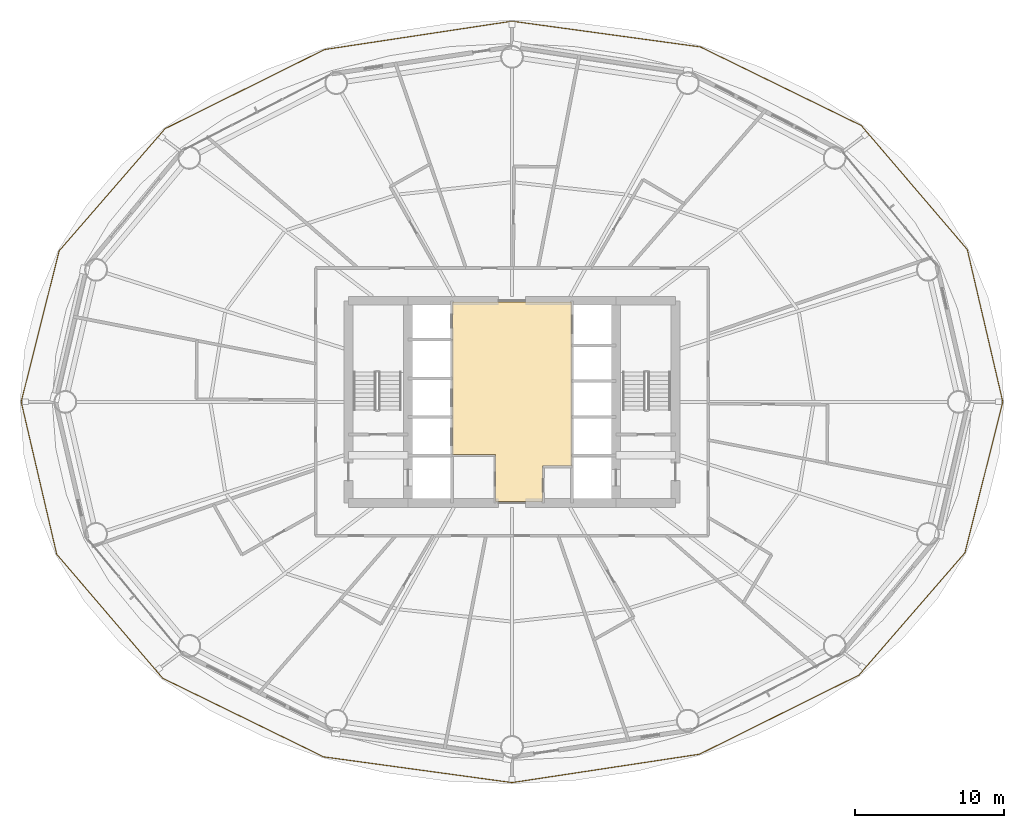
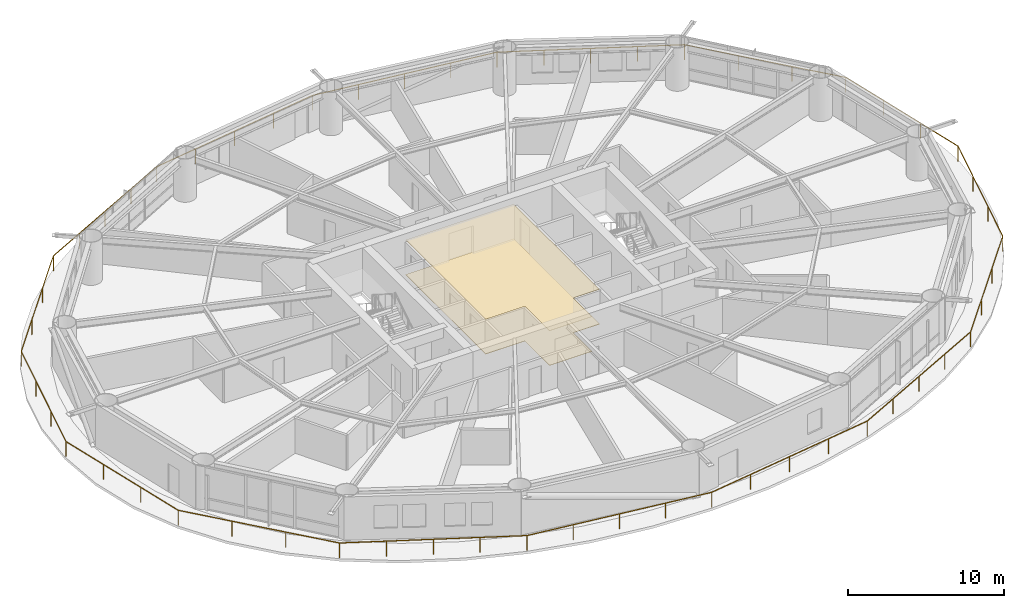
# One storey, part 25 of 26: 2 coverings, 1 railing.
"""IFC4 building model written with IfcOpenShell, lengths in metres."""

from ifc_helpers import new_model, si_unit, direction, frame, origin, origin_2d, place, context, subcontext, project, spatial, polyline, rectangle, outline, extrude, material, layer, layer_set, type_object, element, save


model = new_model("IFC4")

# Units and contexts
model_context = context("Model", 3, precision=1e-05, world=origin(), true_north=direction((0.0, 1.0)))
body_context = subcontext(model_context, "Body", "Model", "MODEL_VIEW")
ifc_project = project(units=[si_unit("LENGTHUNIT", "METRE"), si_unit("AREAUNIT", "SQUARE_METRE"), si_unit("VOLUMEUNIT", "CUBIC_METRE"), si_unit("PLANEANGLEUNIT", "RADIAN"), si_unit("MASSUNIT", "GRAM", prefix="KILO")], contexts=[model_context])

# Site, building, storey
site_placement = place(None, origin())
site = spatial("IfcSite", under=ifc_project, at=site_placement, CompositionType="ELEMENT")
building_placement = place(site_placement, origin())
building = spatial("IfcBuilding", under=site, at=building_placement, Name="Sarneth Arch Tower", CompositionType="ELEMENT")
storey_placement = place(building_placement, frame((0.0, 0.0, 71.39990234375)))
storey = spatial("IfcBuildingStorey", under=building, at=storey_placement, Name="L17", CompositionType="ELEMENT", Elevation=71.39990234375)

# Coverings
ifc_material_1 = material(Name="Perforated acoustic gypsum ceiling board")
ifc_layer_1 = layer(ifc_material_1, 0.02490234375)
ifc_layer_set_1 = layer_set([ifc_layer_1], Name="Perforated acoustic gypsum ceiling board")
covering_type_1 = type_object("IfcCoveringType", Name="COV-CEIL-GYP", PredefinedType="CEILING", material=ifc_layer_set_1)
covering_1_placement = place(storey_placement, frame((0.0, 0.0, 2.710205078125)))
element("IfcCovering", 1, at=covering_1_placement, inside=storey, type_object=covering_type_1, Name="L17 Lift lobby acoustic ceiling", PredefinedType="CEILING", context=body_context, shape_type="SweptSolid", body=[
    extrude(outline(polyline([(52.0, 37.699951171875), (50.050048828125, 37.699951171875), (50.050048828125, 35.300048828125), (46.89990234375, 35.300048828125), (46.89990234375, 38.449951171875), (44.0, 38.449951171875), (44.0, 48.699951171875), (52.0, 48.699951171875), (52.0, 37.699951171875)])), origin(), (0.0, 0.0, 1.0), 0.02978515625),
])
ifc_material_2 = material(Name="Honed granite stone flooring", Category="masonry")
ifc_layer_2 = layer(ifc_material_2, 0.030029296875)
ifc_layer_set_2 = layer_set([ifc_layer_2], Name="Honed granite stone flooring")
covering_type_2 = type_object("IfcCoveringType", Name="COV-FLR-STONE", PredefinedType="FLOORING", material=ifc_layer_set_2)
covering_2_placement = place(storey_placement, origin())
element("IfcCovering", 2, at=covering_2_placement, inside=storey, type_object=covering_type_2, Name="L17 Lift lobby granite flooring", PredefinedType="FLOORING", context=body_context, shape_type="SweptSolid", body=[
    extrude(outline(polyline([(52.0, 37.699951171875), (50.050048828125, 37.699951171875), (50.050048828125, 35.300048828125), (46.89990234375, 35.300048828125), (46.89990234375, 38.449951171875), (44.0, 38.449951171875), (44.0, 48.699951171875), (52.0, 48.699951171875), (52.0, 37.699951171875)])), origin(), (0.0, 0.0, 1.0), 0.030029296875),
])

# Railing
ifc_material_3 = material(Name="Laminated structural glass infill with Stainless Steel 316 top rail and posts", Category="steel")
railing_type = type_object("IfcRailingType", Name="RAIL-BALC-1200", PredefinedType="BALUSTRADE", material=ifc_material_3)
railing_placement = place(storey_placement, frame((81.00146484375, 42.0, 0.0)))
element("IfcRailing", 3, at=railing_placement, inside=storey, type_object=railing_type, Name="L17 Helical balcony glass balustrade", PredefinedType="BALUSTRADE", context=body_context, shape_type="SweptSolid", body=[
    extrude(rectangle(XDim=0.048095703125, YDim=0.048095703125, at=origin_2d()), frame((0.0, 0.0, 1.17578125), z_axis=(-0.227084352887, 0.973875092953, 0.0), x_axis=(-0.973875092953, -0.227084352887, 0.0)), (0.0, 0.0, 1.0), 10.52001953125),
    extrude(rectangle(XDim=0.048095703125, YDim=0.048095703125, at=origin_2d()), frame((-2.388916015625, 10.2451171875, 1.17578125), z_axis=(-0.649747538134, 0.760150075109, 0.0), x_axis=(-0.760150075109, -0.649747538134, 0.0)), (0.0, 0.0, 1.0), 10.966064453125),
    extrude(rectangle(XDim=0.048095703125, YDim=0.048095703125, at=origin_2d()), frame((-9.51416015625, 18.5810546875, 1.17578125), z_axis=(-0.898555805268, 0.438859276784, 0.0), x_axis=(-0.438859276784, -0.898555805268, 0.0)), (0.0, 0.0, 1.0), 12.044677734375),
    extrude(rectangle(XDim=0.048095703125, YDim=0.048095703125, at=origin_2d()), frame((-20.3369140625, 23.866943359375, 1.17578125), z_axis=(-0.990785949112, 0.135437081489, 0.0), x_axis=(-0.135437081489, -0.990785949112, 0.0)), (0.0, 0.0, 1.0), 12.7822265625),
    extrude(rectangle(XDim=0.048095703125, YDim=0.048095703125, at=origin_2d()), frame((-33.00146484375, 25.59814453125, 1.17578125), z_axis=(-0.988726414617, -0.149733353124, 0.0), x_axis=(0.149733353124, -0.988726414617, 0.0)), (0.0, 0.0, 1.0), 12.752197265625),
    extrude(rectangle(XDim=0.048095703125, YDim=0.048095703125, at=origin_2d()), frame((-45.60986328125, 23.688720703125, 1.17578125), z_axis=(-0.89579800667, -0.44446139455, 0.0), x_axis=(0.44446139455, -0.89579800667, 0.0)), (0.0, 0.0, 1.0), 11.967041015625),
    extrude(rectangle(XDim=0.048095703125, YDim=0.048095703125, at=origin_2d()), frame((-56.329833984375, 18.369873046875, 1.17578125), z_axis=(-0.654955330145, -0.755667595914, 0.0), x_axis=(0.755667595914, -0.654955330145, 0.0)), (0.0, 0.0, 1.0), 10.872314453125),
    extrude(rectangle(XDim=0.048095703125, YDim=0.048095703125, at=origin_2d()), frame((-63.45068359375, 10.154052734375, 1.17578125), z_axis=(-0.243769929041, -0.969833089606, 0.0), x_axis=(0.969833089606, -0.243769929041, 0.0)), (0.0, 0.0, 1.0), 10.469970703125),
    extrude(rectangle(XDim=0.048095703125, YDim=0.048095703125, at=origin_2d()), frame((-66.0029296875, 0.0, 1.17578125), z_axis=(0.227084352887, -0.973875092953, 0.0), x_axis=(0.973875092953, 0.227084352887, 0.0)), (0.0, 0.0, 1.0), 10.52001953125),
    extrude(rectangle(XDim=0.048095703125, YDim=0.048095703125, at=origin_2d()), frame((-63.614013671875, -10.2451171875, 1.17578125), z_axis=(0.649747538134, -0.760150075109, 0.0), x_axis=(0.760150075109, 0.649747538134, 0.0)), (0.0, 0.0, 1.0), 10.966064453125),
    extrude(rectangle(XDim=0.048095703125, YDim=0.048095703125, at=origin_2d()), frame((-56.48876953125, -18.5810546875, 1.17578125), z_axis=(0.898555805268, -0.438859276784, 0.0), x_axis=(0.438859276784, 0.898555805268, 0.0)), (0.0, 0.0, 1.0), 12.044677734375),
    extrude(rectangle(XDim=0.048095703125, YDim=0.048095703125, at=origin_2d()), frame((-45.666015625, -23.866943359375, 1.17578125), z_axis=(0.990785949112, -0.135437081489, 0.0), x_axis=(0.135437081489, 0.990785949112, 0.0)), (0.0, 0.0, 1.0), 12.7822265625),
    extrude(rectangle(XDim=0.048095703125, YDim=0.048095703125, at=origin_2d()), frame((-33.00146484375, -25.59814453125, 1.17578125), z_axis=(0.988726414617, 0.149733353124, 0.0), x_axis=(-0.149733353124, 0.988726414617, 0.0)), (0.0, 0.0, 1.0), 12.752197265625),
    extrude(rectangle(XDim=0.048095703125, YDim=0.048095703125, at=origin_2d()), frame((-20.39306640625, -23.688720703125, 1.17578125), z_axis=(0.89579800667, 0.44446139455, 0.0), x_axis=(-0.44446139455, 0.89579800667, 0.0)), (0.0, 0.0, 1.0), 11.967041015625),
    extrude(rectangle(XDim=0.048095703125, YDim=0.048095703125, at=origin_2d()), frame((-9.673095703125, -18.369873046875, 1.17578125), z_axis=(0.654955330145, 0.755667595914, 0.0), x_axis=(-0.755667595914, 0.654955330145, 0.0)), (0.0, 0.0, 1.0), 10.872314453125),
    extrude(rectangle(XDim=0.048095703125, YDim=0.048095703125, at=origin_2d()), frame((-2.55224609375, -10.154052734375, 1.17578125), z_axis=(0.243769929041, 0.969833089606, 0.0), x_axis=(-0.969833089606, 0.243769929041, 0.0)), (0.0, 0.0, 1.0), 10.469970703125),
    extrude(rectangle(XDim=0.0419921875, YDim=0.0419921875, at=origin_2d()), origin(), (0.0, 0.0, 1.0), 1.15185546875),
    extrude(rectangle(XDim=0.0419921875, YDim=0.0419921875, at=origin_2d()), frame((-0.79638671875, 3.4150390625, 0.0)), (0.0, 0.0, 1.0), 1.15185546875),
    extrude(rectangle(XDim=0.0419921875, YDim=0.0419921875, at=origin_2d()), frame((-1.592529296875, 6.830078125, 0.0)), (0.0, 0.0, 1.0), 1.15185546875),
    extrude(rectangle(XDim=0.0419921875, YDim=0.0419921875, at=origin_2d()), frame((-2.388916015625, 10.2451171875, 0.0)), (0.0, 0.0, 1.0), 1.15185546875),
    extrude(rectangle(XDim=0.0419921875, YDim=0.0419921875, at=origin_2d()), frame((-4.763916015625, 13.023681640625, 0.0)), (0.0, 0.0, 1.0), 1.15185546875),
    extrude(rectangle(XDim=0.0419921875, YDim=0.0419921875, at=origin_2d()), frame((-7.13916015625, 15.802490234375, 0.0)), (0.0, 0.0, 1.0), 1.15185546875),
    extrude(rectangle(XDim=0.0419921875, YDim=0.0419921875, at=origin_2d()), frame((-9.51416015625, 18.5810546875, 0.0)), (0.0, 0.0, 1.0), 1.15185546875),
    extrude(rectangle(XDim=0.0419921875, YDim=0.0419921875, at=origin_2d()), frame((-12.2197265625, 19.902587890625, 0.0)), (0.0, 0.0, 1.0), 1.15185546875),
    extrude(rectangle(XDim=0.0419921875, YDim=0.0419921875, at=origin_2d()), frame((-14.925537109375, 21.22412109375, 0.0)), (0.0, 0.0, 1.0), 1.15185546875),
    extrude(rectangle(XDim=0.0419921875, YDim=0.0419921875, at=origin_2d()), frame((-17.63134765625, 22.54541015625, 0.0)), (0.0, 0.0, 1.0), 1.15185546875),
    extrude(rectangle(XDim=0.0419921875, YDim=0.0419921875, at=origin_2d()), frame((-20.3369140625, 23.866943359375, 0.0)), (0.0, 0.0, 1.0), 1.15185546875),
    extrude(rectangle(XDim=0.0419921875, YDim=0.0419921875, at=origin_2d()), frame((-23.5029296875, 24.2998046875, 0.0)), (0.0, 0.0, 1.0), 1.15185546875),
    extrude(rectangle(XDim=0.0419921875, YDim=0.0419921875, at=origin_2d()), frame((-26.669189453125, 24.732421875, 0.0)), (0.0, 0.0, 1.0), 1.15185546875),
    extrude(rectangle(XDim=0.0419921875, YDim=0.0419921875, at=origin_2d()), frame((-29.83544921875, 25.165283203125, 0.0)), (0.0, 0.0, 1.0), 1.15185546875),
    extrude(rectangle(XDim=0.0419921875, YDim=0.0419921875, at=origin_2d()), frame((-33.00146484375, 25.59814453125, 0.0)), (0.0, 0.0, 1.0), 1.15185546875),
    extrude(rectangle(XDim=0.0419921875, YDim=0.0419921875, at=origin_2d()), frame((-36.153564453125, 25.120849609375, 0.0)), (0.0, 0.0, 1.0), 1.15185546875),
    extrude(rectangle(XDim=0.0419921875, YDim=0.0419921875, at=origin_2d()), frame((-39.3056640625, 24.6435546875, 0.0)), (0.0, 0.0, 1.0), 1.15185546875),
    extrude(rectangle(XDim=0.0419921875, YDim=0.0419921875, at=origin_2d()), frame((-42.457763671875, 24.166015625, 0.0)), (0.0, 0.0, 1.0), 1.15185546875),
    extrude(rectangle(XDim=0.0419921875, YDim=0.0419921875, at=origin_2d()), frame((-45.60986328125, 23.688720703125, 0.0)), (0.0, 0.0, 1.0), 1.15185546875),
    extrude(rectangle(XDim=0.0419921875, YDim=0.0419921875, at=origin_2d()), frame((-48.289794921875, 22.35888671875, 0.0)), (0.0, 0.0, 1.0), 1.15185546875),
    extrude(rectangle(XDim=0.0419921875, YDim=0.0419921875, at=origin_2d()), frame((-50.9697265625, 21.029296875, 0.0)), (0.0, 0.0, 1.0), 1.15185546875),
    extrude(rectangle(XDim=0.0419921875, YDim=0.0419921875, at=origin_2d()), frame((-53.64990234375, 19.69970703125, 0.0)), (0.0, 0.0, 1.0), 1.15185546875),
    extrude(rectangle(XDim=0.0419921875, YDim=0.0419921875, at=origin_2d()), frame((-56.329833984375, 18.369873046875, 0.0)), (0.0, 0.0, 1.0), 1.15185546875),
    extrude(rectangle(XDim=0.0419921875, YDim=0.0419921875, at=origin_2d()), frame((-58.703369140625, 15.63134765625, 0.0)), (0.0, 0.0, 1.0), 1.15185546875),
    extrude(rectangle(XDim=0.0419921875, YDim=0.0419921875, at=origin_2d()), frame((-61.0771484375, 12.892578125, 0.0)), (0.0, 0.0, 1.0), 1.15185546875),
    extrude(rectangle(XDim=0.0419921875, YDim=0.0419921875, at=origin_2d()), frame((-63.45068359375, 10.154052734375, 0.0)), (0.0, 0.0, 1.0), 1.15185546875),
    extrude(rectangle(XDim=0.0419921875, YDim=0.0419921875, at=origin_2d()), frame((-64.301513671875, 6.769287109375, 0.0)), (0.0, 0.0, 1.0), 1.15185546875),
    extrude(rectangle(XDim=0.0419921875, YDim=0.0419921875, at=origin_2d()), frame((-65.152099609375, 3.384765625, 0.0)), (0.0, 0.0, 1.0), 1.15185546875),
    extrude(rectangle(XDim=0.0419921875, YDim=0.0419921875, at=origin_2d()), frame((-66.0029296875, 0.0, 0.0)), (0.0, 0.0, 1.0), 1.15185546875),
    extrude(rectangle(XDim=0.0419921875, YDim=0.0419921875, at=origin_2d()), frame((-65.20654296875, -3.4150390625, 0.0)), (0.0, 0.0, 1.0), 1.15185546875),
    extrude(rectangle(XDim=0.0419921875, YDim=0.0419921875, at=origin_2d()), frame((-64.410400390625, -6.830078125, 0.0)), (0.0, 0.0, 1.0), 1.15185546875),
    extrude(rectangle(XDim=0.0419921875, YDim=0.0419921875, at=origin_2d()), frame((-63.614013671875, -10.2451171875, 0.0)), (0.0, 0.0, 1.0), 1.15185546875),
    extrude(rectangle(XDim=0.0419921875, YDim=0.0419921875, at=origin_2d()), frame((-61.239013671875, -13.023681640625, 0.0)), (0.0, 0.0, 1.0), 1.15185546875),
    extrude(rectangle(XDim=0.0419921875, YDim=0.0419921875, at=origin_2d()), frame((-58.86376953125, -15.802490234375, 0.0)), (0.0, 0.0, 1.0), 1.15185546875),
    extrude(rectangle(XDim=0.0419921875, YDim=0.0419921875, at=origin_2d()), frame((-56.48876953125, -18.5810546875, 0.0)), (0.0, 0.0, 1.0), 1.15185546875),
    extrude(rectangle(XDim=0.0419921875, YDim=0.0419921875, at=origin_2d()), frame((-53.783203125, -19.902587890625, 0.0)), (0.0, 0.0, 1.0), 1.15185546875),
    extrude(rectangle(XDim=0.0419921875, YDim=0.0419921875, at=origin_2d()), frame((-51.077392578125, -21.22412109375, 0.0)), (0.0, 0.0, 1.0), 1.15185546875),
    extrude(rectangle(XDim=0.0419921875, YDim=0.0419921875, at=origin_2d()), frame((-48.37158203125, -22.54541015625, 0.0)), (0.0, 0.0, 1.0), 1.15185546875),
    extrude(rectangle(XDim=0.0419921875, YDim=0.0419921875, at=origin_2d()), frame((-45.666015625, -23.866943359375, 0.0)), (0.0, 0.0, 1.0), 1.15185546875),
    extrude(rectangle(XDim=0.0419921875, YDim=0.0419921875, at=origin_2d()), frame((-42.5, -24.2998046875, 0.0)), (0.0, 0.0, 1.0), 1.15185546875),
    extrude(rectangle(XDim=0.0419921875, YDim=0.0419921875, at=origin_2d()), frame((-39.333740234375, -24.732421875, 0.0)), (0.0, 0.0, 1.0), 1.15185546875),
    extrude(rectangle(XDim=0.0419921875, YDim=0.0419921875, at=origin_2d()), frame((-36.16748046875, -25.165283203125, 0.0)), (0.0, 0.0, 1.0), 1.15185546875),
    extrude(rectangle(XDim=0.0419921875, YDim=0.0419921875, at=origin_2d()), frame((-33.00146484375, -25.59814453125, 0.0)), (0.0, 0.0, 1.0), 1.15185546875),
    extrude(rectangle(XDim=0.0419921875, YDim=0.0419921875, at=origin_2d()), frame((-29.849365234375, -25.120849609375, 0.0)), (0.0, 0.0, 1.0), 1.15185546875),
    extrude(rectangle(XDim=0.0419921875, YDim=0.0419921875, at=origin_2d()), frame((-26.697265625, -24.6435546875, 0.0)), (0.0, 0.0, 1.0), 1.15185546875),
    extrude(rectangle(XDim=0.0419921875, YDim=0.0419921875, at=origin_2d()), frame((-23.545166015625, -24.166015625, 0.0)), (0.0, 0.0, 1.0), 1.15185546875),
    extrude(rectangle(XDim=0.0419921875, YDim=0.0419921875, at=origin_2d()), frame((-20.39306640625, -23.688720703125, 0.0)), (0.0, 0.0, 1.0), 1.15185546875),
    extrude(rectangle(XDim=0.0419921875, YDim=0.0419921875, at=origin_2d()), frame((-17.713134765625, -22.35888671875, 0.0)), (0.0, 0.0, 1.0), 1.15185546875),
    extrude(rectangle(XDim=0.0419921875, YDim=0.0419921875, at=origin_2d()), frame((-15.033203125, -21.029296875, 0.0)), (0.0, 0.0, 1.0), 1.15185546875),
    extrude(rectangle(XDim=0.0419921875, YDim=0.0419921875, at=origin_2d()), frame((-12.35302734375, -19.69970703125, 0.0)), (0.0, 0.0, 1.0), 1.15185546875),
    extrude(rectangle(XDim=0.0419921875, YDim=0.0419921875, at=origin_2d()), frame((-9.673095703125, -18.369873046875, 0.0)), (0.0, 0.0, 1.0), 1.15185546875),
    extrude(rectangle(XDim=0.0419921875, YDim=0.0419921875, at=origin_2d()), frame((-7.299560546875, -15.63134765625, 0.0)), (0.0, 0.0, 1.0), 1.15185546875),
    extrude(rectangle(XDim=0.0419921875, YDim=0.0419921875, at=origin_2d()), frame((-4.92578125, -12.892578125, 0.0)), (0.0, 0.0, 1.0), 1.15185546875),
    extrude(rectangle(XDim=0.0419921875, YDim=0.0419921875, at=origin_2d()), frame((-2.55224609375, -10.154052734375, 0.0)), (0.0, 0.0, 1.0), 1.15185546875),
    extrude(rectangle(XDim=0.0419921875, YDim=0.0419921875, at=origin_2d()), frame((-1.701416015625, -6.769287109375, 0.0)), (0.0, 0.0, 1.0), 1.15185546875),
    extrude(rectangle(XDim=0.0419921875, YDim=0.0419921875, at=origin_2d()), frame((-0.850830078125, -3.384765625, 0.0)), (0.0, 0.0, 1.0), 1.15185546875),
])

save(model, "model.ifc")
